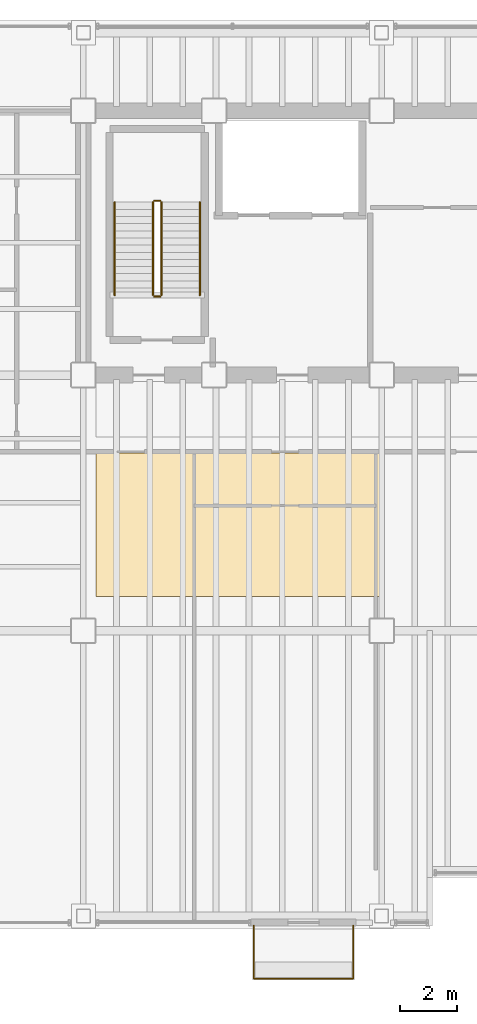
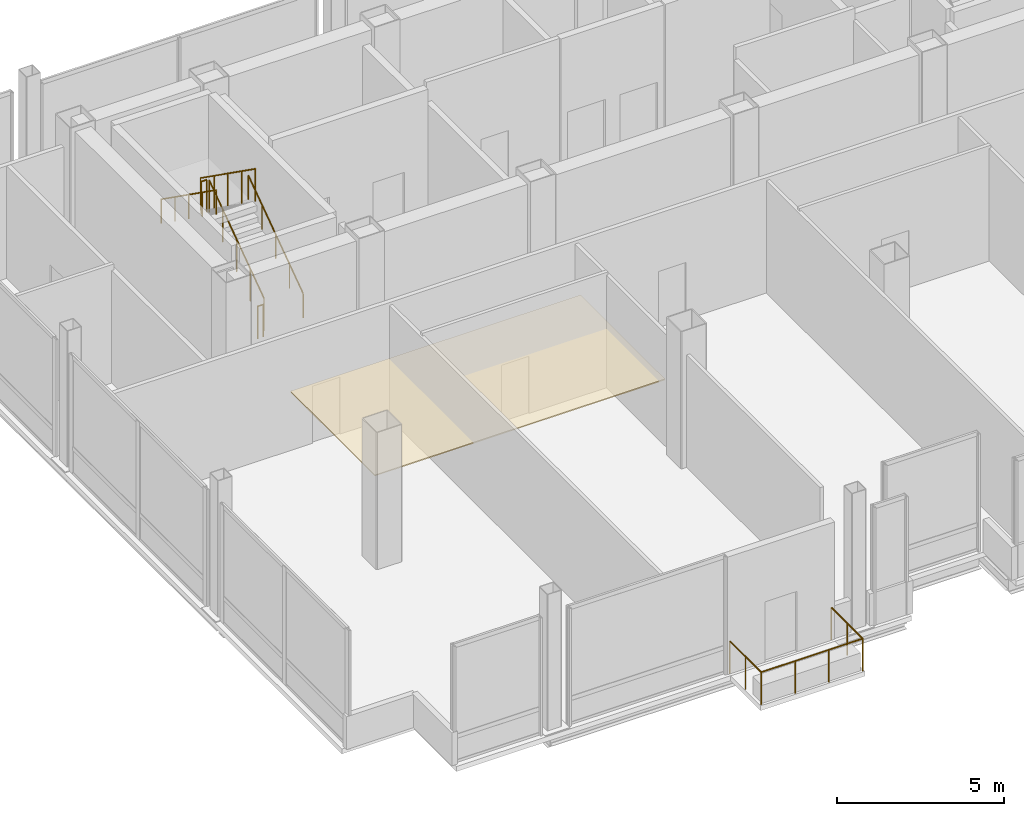
# One storey, part 21 of 22: 7 railings, 1 covering.
"""IFC4 building model written with IfcOpenShell, lengths in metres."""

from ifc_helpers import new_model, si_unit, direction, frame, origin, origin_2d, place, context, subcontext, project, spatial, polyline, circle, outline, extrude, material, layer, layer_set, type_object, element, save


model = new_model("IFC4")

# Units and contexts
model_context = context("Model", 3, precision=1e-05, world=origin(), true_north=direction((0.0, 1.0)))
body_context = subcontext(model_context, "Body", "Model", "MODEL_VIEW")
ifc_project = project(units=[si_unit("LENGTHUNIT", "METRE"), si_unit("AREAUNIT", "SQUARE_METRE"), si_unit("VOLUMEUNIT", "CUBIC_METRE"), si_unit("PLANEANGLEUNIT", "RADIAN"), si_unit("MASSUNIT", "GRAM", prefix="KILO")], contexts=[model_context])

# Site, building, storey
site_placement = place(None, origin())
site = spatial("IfcSite", under=ifc_project, at=site_placement, CompositionType="ELEMENT")
building_placement = place(site_placement, origin())
building = spatial("IfcBuilding", under=site, at=building_placement, Name="Noeulbin Bourse Tower", CompositionType="ELEMENT")
storey_placement = place(building_placement, frame((0.0, 0.0, 106.0)))
storey = spatial("IfcBuildingStorey", under=building, at=storey_placement, Name="L26", CompositionType="ELEMENT", Elevation=106.0)

# Covering
ifc_material_1 = material(Name="Perforated Mineral-Fibre Acoustic Tile")
ifc_layer_1 = layer(ifc_material_1, 0.0400390625)
ifc_layer_set_1 = layer_set([ifc_layer_1], Name="Perforated Mineral-Fibre Acoustic Tile")
covering_type = type_object("IfcCoveringType", Name="COV-CEIL-ACT", PredefinedType="CEILING", material=ifc_layer_set_1)
covering_placement = place(storey_placement, frame((0.0, 0.0, 2.110107421875)))
element("IfcCovering", 1, at=covering_placement, inside=storey, type_object=covering_type, Name="Trading Suite Acoustic Ceiling L26", PredefinedType="CEILING", context=body_context, shape_type="SweptSolid", body=[
    extrude(outline(polyline([(13.949951171875, 21.199951171875), (23.949951171875, 21.199951171875), (23.949951171875, 26.25), (13.949951171875, 26.25), (13.949951171875, 21.199951171875)])), origin(), (0.0, 0.0, 1.0), 0.039794921875),
])

# Railings
ifc_material_2 = material(Name="Laminated SentryGlas and Stainless Steel 316", Category="steel")
ifc_layer_2 = layer(ifc_material_2, 0.06005859375)
ifc_layer_set_2 = layer_set([ifc_layer_2], Name="Laminated SentryGlas and Stainless Steel 316")
railing_type_1 = type_object("IfcRailingType", Name="RLG-BAL-1200", PredefinedType="BALUSTRADE", material=ifc_layer_set_2)
railing_1_placement = place(storey_placement, frame((19.5, 9.6201171875, 0.0)))
element("IfcRailing", 2, at=railing_1_placement, inside=storey, type_object=railing_type_1, Name="Tree-Balcony Glazed Balustrade L26", PredefinedType="BALUSTRADE", context=body_context, shape_type="SweptSolid", body=[
    extrude(circle(Radius=0.02392578125, at=origin_2d()), frame((0.0, 0.0, 1.17578125), z_axis=(0.0, -1.0, 0.0), x_axis=(1.0, 0.0, 0.0)), (0.0, 0.0, 1.0), 1.8701171875),
    extrude(circle(Radius=0.02392578125, at=origin_2d()), frame((0.0, -1.8701171875, 1.17578125), z_axis=(1.0, 0.0, 0.0), x_axis=(0.0, 1.0, 0.0)), (0.0, 0.0, 1.0), 3.5),
    extrude(circle(Radius=0.02392578125, at=origin_2d()), frame((3.5, -1.8701171875, 1.17578125), z_axis=(0.0, 1.0, 0.0), x_axis=(-1.0, 0.0, 0.0)), (0.0, 0.0, 1.0), 1.8701171875),
    extrude(circle(Radius=0.02099609375, at=origin_2d()), origin(), (0.0, 0.0, 1.0), 1.15185546875),
    extrude(circle(Radius=0.02099609375, at=origin_2d()), frame((0.0, -0.93505859375, 0.0)), (0.0, 0.0, 1.0), 1.15185546875),
    extrude(circle(Radius=0.02099609375, at=origin_2d()), frame((0.0, -1.8701171875, 0.0)), (0.0, 0.0, 1.0), 1.15185546875),
    extrude(circle(Radius=0.02099609375, at=origin_2d()), frame((1.166748046875, -1.8701171875, 0.0)), (0.0, 0.0, 1.0), 1.15185546875),
    extrude(circle(Radius=0.02099609375, at=origin_2d()), frame((2.333251953125, -1.8701171875, 0.0)), (0.0, 0.0, 1.0), 1.15185546875),
    extrude(circle(Radius=0.02099609375, at=origin_2d()), frame((3.5, -1.8701171875, 0.0)), (0.0, 0.0, 1.0), 1.15185546875),
    extrude(circle(Radius=0.02099609375, at=origin_2d()), frame((3.5, -0.93505859375, 0.0)), (0.0, 0.0, 1.0), 1.15185546875),
    extrude(circle(Radius=0.02099609375, at=origin_2d()), frame((3.5, 0.0, 0.0)), (0.0, 0.0, 1.0), 1.15185546875),
])
ifc_material_3 = material(Name="Painted Tubular Steel S355", Category="steel")
ifc_layer_3 = layer(ifc_material_3, 0.048095703125)
ifc_layer_set_3 = layer_set([ifc_layer_3], Name="Painted Tubular Steel S355")
railing_type_2 = type_object("IfcRailingType", Name="RLG-STR-GRD", PredefinedType="GUARDRAIL", material=ifc_layer_set_3)
railing_2_placement = place(storey_placement, frame((16.25, 31.81005859375, 0.178466796875)))
element("IfcRailing", 3, at=railing_2_placement, inside=storey, type_object=railing_type_2, Name="L26 ST-1 stair guard 1", PredefinedType="GUARDRAIL", context=body_context, shape_type="SweptSolid", body=[
    extrude(circle(Radius=0.02392578125, at=origin_2d()), frame((0.0, 0.0, 1.17578125), z_axis=(0.0, 0.815893006872, 0.578202906718), x_axis=(-1.0, 0.0, 0.0)), (0.0, 0.0, 1.0), 4.01513671875),
    extrude(circle(Radius=0.02099609375, at=origin_2d()), origin(), (0.0, 0.0, 1.0), 1.15185546875),
    extrude(circle(Radius=0.02099609375, at=origin_2d()), frame((0.0, 0.81884765625, 0.580322265625)), (0.0, 0.0, 1.0), 1.15185546875),
    extrude(circle(Radius=0.02099609375, at=origin_2d()), frame((0.0, 1.637939453125, 1.16064453125)), (0.0, 0.0, 1.0), 1.15185546875),
    extrude(circle(Radius=0.02099609375, at=origin_2d()), frame((0.0, 2.45703125, 1.7412109375)), (0.0, 0.0, 1.0), 1.15185546875),
    extrude(circle(Radius=0.02099609375, at=origin_2d()), frame((0.0, 3.27587890625, 2.321533203125)), (0.0, 0.0, 1.0), 1.15185546875),
])
railing_3_placement = place(storey_placement, frame((16.199951171875, 35.135986328125, 2.5)))
element("IfcRailing", 4, at=railing_3_placement, inside=storey, type_object=railing_type_2, Name="L26 ST-1 stair guard 2", PredefinedType="GUARDRAIL", context=body_context, shape_type="SweptSolid", body=[
    extrude(circle(Radius=0.02392578125, at=origin_2d()), frame((0.0, 0.0, 1.17578125), z_axis=(-1.0, 0.0, 0.0), x_axis=(0.0, -1.0, 0.0)), (0.0, 0.0, 1.0), 0.199951171875),
    extrude(circle(Radius=0.02099609375, at=origin_2d()), origin(), (0.0, 0.0, 1.0), 1.15185546875),
    extrude(circle(Radius=0.02099609375, at=origin_2d()), frame((-0.199951171875, 0.0, 0.0)), (0.0, 0.0, 1.0), 1.15185546875),
])
railing_4_placement = place(storey_placement, frame((15.949951171875, 35.0859375, 2.678466796875)))
element("IfcRailing", 5, at=railing_4_placement, inside=storey, type_object=railing_type_2, Name="L26 ST-1 stair guard 3", PredefinedType="GUARDRAIL", context=body_context, shape_type="SweptSolid", body=[
    extrude(circle(Radius=0.02392578125, at=origin_2d()), frame((0.0, 0.0, 1.17578125), z_axis=(0.0, -0.815893006872, 0.578202906718), x_axis=(1.0, 0.0, 0.0)), (0.0, 0.0, 1.0), 4.01513671875),
    extrude(circle(Radius=0.02099609375, at=origin_2d()), origin(), (0.0, 0.0, 1.0), 1.15185546875),
    extrude(circle(Radius=0.02099609375, at=origin_2d()), frame((0.0, -0.81884765625, 0.580322265625)), (0.0, 0.0, 1.0), 1.15185546875),
    extrude(circle(Radius=0.02099609375, at=origin_2d()), frame((0.0, -1.637939453125, 1.16064453125)), (0.0, 0.0, 1.0), 1.15185546875),
    extrude(circle(Radius=0.02099609375, at=origin_2d()), frame((0.0, -2.45703125, 1.7412109375)), (0.0, 0.0, 1.0), 1.15185546875),
    extrude(circle(Radius=0.02099609375, at=origin_2d()), frame((0.0, -3.27587890625, 2.321533203125)), (0.0, 0.0, 1.0), 1.15185546875),
])
railing_5_placement = place(storey_placement, frame((16.199951171875, 31.760009765625, 0.0)))
element("IfcRailing", 6, at=railing_5_placement, inside=storey, type_object=railing_type_2, Name="L26 ST-1 stair guard 4", PredefinedType="GUARDRAIL", context=body_context, shape_type="SweptSolid", body=[
    extrude(circle(Radius=0.02392578125, at=origin_2d()), frame((0.0, 0.0, 1.17578125), z_axis=(-1.0, 0.0, 0.0), x_axis=(0.0, -1.0, 0.0)), (0.0, 0.0, 1.0), 0.199951171875),
    extrude(circle(Radius=0.02099609375, at=origin_2d()), origin(), (0.0, 0.0, 1.0), 1.15185546875),
    extrude(circle(Radius=0.02099609375, at=origin_2d()), frame((-0.199951171875, 0.0, 0.0)), (0.0, 0.0, 1.0), 1.15185546875),
])
ifc_material_4 = material(Name="Brushed Stainless Steel 316", Category="steel")
ifc_layer_4 = layer(ifc_material_4, 0.048095703125)
ifc_layer_set_4 = layer_set([ifc_layer_4], Name="Brushed Stainless Steel 316")
railing_type_3 = type_object("IfcRailingType", Name="RLG-STR-HND", PredefinedType="HANDRAIL", material=ifc_layer_set_4)
railing_6_placement = place(storey_placement, frame((17.60009765625, 31.81005859375, 0.178466796875)))
element("IfcRailing", 7, at=railing_6_placement, inside=storey, type_object=railing_type_3, Name="L26 ST-1 stair handrail 1", PredefinedType="HANDRAIL", context=body_context, shape_type="SweptSolid", body=[
    extrude(circle(Radius=0.02392578125, at=origin_2d()), frame((0.0, 0.0, 0.8759765625), z_axis=(0.0, 0.815893006872, 0.578202906718), x_axis=(-1.0, 0.0, 0.0)), (0.0, 0.0, 1.0), 4.01513671875),
    extrude(circle(Radius=0.02099609375, at=origin_2d()), origin(), (0.0, 0.0, 1.0), 0.851806640625),
    extrude(circle(Radius=0.02099609375, at=origin_2d()), frame((0.0, 0.81884765625, 0.580322265625)), (0.0, 0.0, 1.0), 0.851806640625),
    extrude(circle(Radius=0.02099609375, at=origin_2d()), frame((0.0, 1.637939453125, 1.16064453125)), (0.0, 0.0, 1.0), 0.851806640625),
    extrude(circle(Radius=0.02099609375, at=origin_2d()), frame((0.0, 2.45703125, 1.7412109375)), (0.0, 0.0, 1.0), 0.851806640625),
    extrude(circle(Radius=0.02099609375, at=origin_2d()), frame((0.0, 3.27587890625, 2.321533203125)), (0.0, 0.0, 1.0), 0.851806640625),
])
railing_7_placement = place(storey_placement, frame((14.60009765625, 35.0859375, 2.678466796875)))
element("IfcRailing", 8, at=railing_7_placement, inside=storey, type_object=railing_type_3, Name="L26 ST-1 stair handrail 2", PredefinedType="HANDRAIL", context=body_context, shape_type="SweptSolid", body=[
    extrude(circle(Radius=0.02392578125, at=origin_2d()), frame((0.0, 0.0, 0.8759765625), z_axis=(0.0, -0.815893006872, 0.578202906718), x_axis=(1.0, 0.0, 0.0)), (0.0, 0.0, 1.0), 4.01513671875),
    extrude(circle(Radius=0.02099609375, at=origin_2d()), origin(), (0.0, 0.0, 1.0), 0.851806640625),
    extrude(circle(Radius=0.02099609375, at=origin_2d()), frame((0.0, -0.81884765625, 0.580322265625)), (0.0, 0.0, 1.0), 0.851806640625),
    extrude(circle(Radius=0.02099609375, at=origin_2d()), frame((0.0, -1.637939453125, 1.16064453125)), (0.0, 0.0, 1.0), 0.851806640625),
    extrude(circle(Radius=0.02099609375, at=origin_2d()), frame((0.0, -2.45703125, 1.7412109375)), (0.0, 0.0, 1.0), 0.851806640625),
    extrude(circle(Radius=0.02099609375, at=origin_2d()), frame((0.0, -3.27587890625, 2.321533203125)), (0.0, 0.0, 1.0), 0.851806640625),
])

save(model, "model.ifc")
